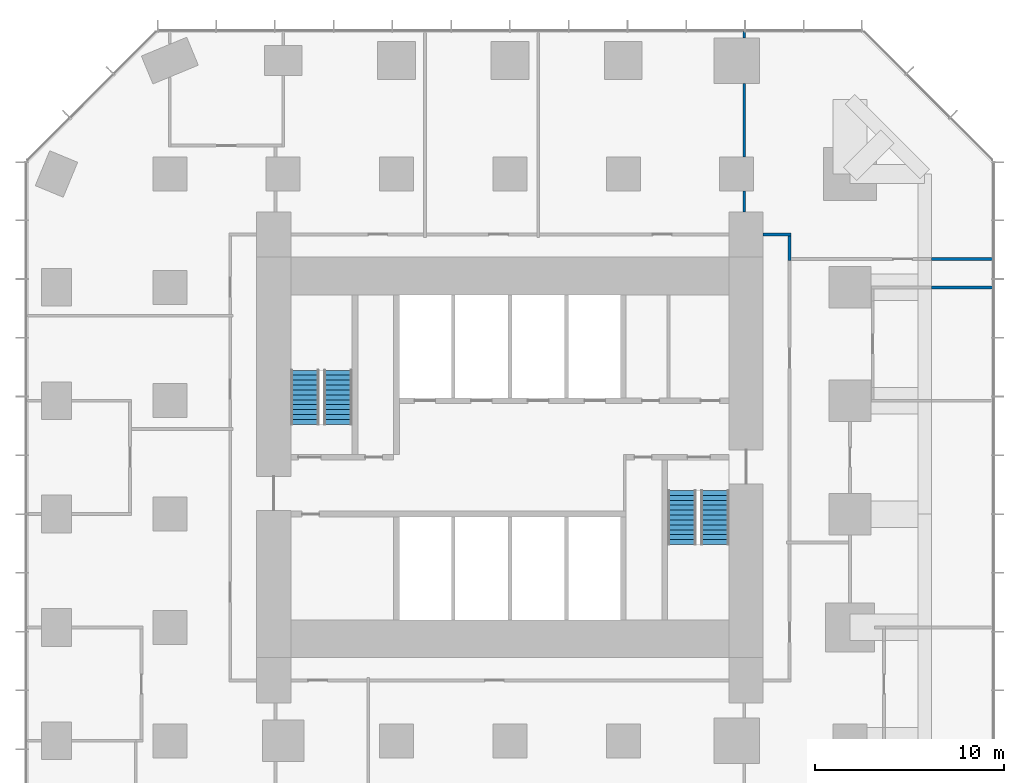
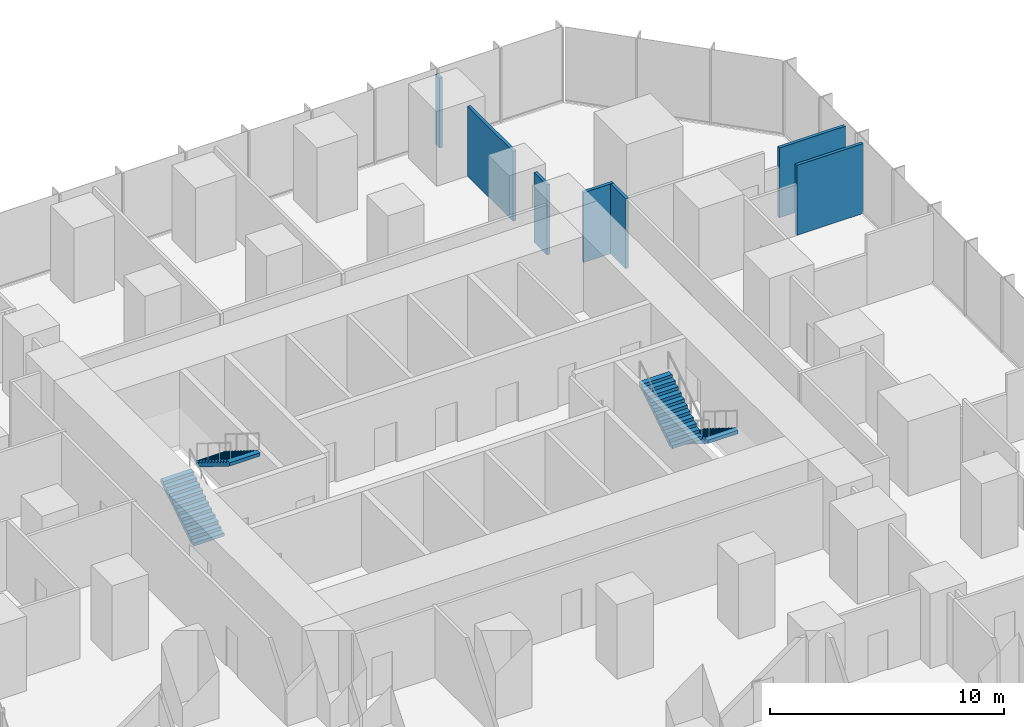
# One storey, part 11 of 12: 7 walls, 4 stair flights, 2 elements without a shape of their own.
"""IFC4 building model written with IfcOpenShell, lengths in metres."""

from ifc_helpers import new_model, si_unit, direction, frame, frame_2d, origin, place, context, subcontext, project, spatial, polyline, rectangle, outline, extrude, material, layer, layer_set, type_object, element, aggregate, save


model = new_model("IFC4")

# Units and contexts
model_context = context("Model", 3, precision=1e-05, world=origin(), true_north=direction((0.0, 1.0)))
body_context = subcontext(model_context, "Body", "Model", "MODEL_VIEW")
ifc_project = project(units=[si_unit("LENGTHUNIT", "METRE"), si_unit("AREAUNIT", "SQUARE_METRE"), si_unit("VOLUMEUNIT", "CUBIC_METRE"), si_unit("PLANEANGLEUNIT", "RADIAN"), si_unit("MASSUNIT", "GRAM", prefix="KILO")], contexts=[model_context])

# Site, building, storey
site_placement = place(None, origin())
site = spatial("IfcSite", under=ifc_project, at=site_placement, CompositionType="ELEMENT")
building_placement = place(site_placement, origin())
building = spatial("IfcBuilding", under=site, at=building_placement, Name="Highveld Stack Headquarters", CompositionType="ELEMENT")
storey_placement = place(building_placement, frame((0.0, 0.0, 49.39990234375)))
storey = spatial("IfcBuildingStorey", under=building, at=storey_placement, Name="L11", CompositionType="ELEMENT", Elevation=49.39990234375)

# Walls
ifc_material_1 = material(Name="Gypsum plasterboard on steel studs", Category="steel")
ifc_layer = layer(ifc_material_1, 0.14990234375)
ifc_layer_set = layer_set([ifc_layer], Name="Gypsum plasterboard on steel studs")
wall_type = type_object("IfcWallType", Name="PARTITION 150 PLASTERBOARD", PredefinedType="PARTITIONING", material=ifc_layer_set)
wall_1_placement = place(storey_placement, frame((28.31005859375, 12.0, 0.0), z_axis=(0.0, 0.0, 1.0), x_axis=(1.0, 0.0, 0.0)))
element("IfcWall", 1, at=wall_1_placement, inside=storey, type_object=wall_type, Name="Partition Tea kitchen L11", PredefinedType="PARTITIONING", context=body_context, shape_type="SweptSolid", body=[
    extrude(rectangle(XDim=3.2900390625, YDim=0.14990234375, at=frame_2d((1.64501953125, 0.0))), origin(), (0.0, 0.0, 1.0), 3.650146484375),
])
wall_2_placement = place(storey_placement, frame((18.39990234375, 16.0, 0.0), z_axis=(0.0, 0.0, 1.0), x_axis=(0.0, 1.0, 0.0)))
element("IfcWall", 2, at=wall_2_placement, inside=storey, type_object=wall_type, Name="Partition office neighbourhood L11", PredefinedType="PARTITIONING", context=body_context, shape_type="SweptSolid", body=[
    extrude(rectangle(XDim=1.10009765625, YDim=0.14990234375, at=frame_2d((0.550048828125, 0.0))), origin(), (0.0, 0.0, 1.0), 3.650146484375),
])
wall_3_placement = place(storey_placement, frame((18.39990234375, 18.89990234375, 0.0), z_axis=(0.0, 0.0, 1.0), x_axis=(0.0, 1.0, 0.0)))
element("IfcWall", 3, at=wall_3_placement, inside=storey, type_object=wall_type, Name="Partition office neighbourhood L11", PredefinedType="PARTITIONING", context=body_context, shape_type="SweptSolid", body=[
    extrude(rectangle(XDim=3.900146484375, YDim=0.14990234375, at=frame_2d((1.9501953125, 0.0))), origin(), (0.0, 0.0, 1.0), 3.650146484375),
])
wall_4_placement = place(storey_placement, frame((18.39990234375, 25.199951171875, 0.0), z_axis=(0.0, 0.0, 1.0), x_axis=(0.0, 1.0, 0.0)))
element("IfcWall", 4, at=wall_4_placement, inside=storey, type_object=wall_type, Name="Partition office neighbourhood L11", PredefinedType="PARTITIONING", context=body_context, shape_type="SweptSolid", body=[
    extrude(rectangle(XDim=0.35009765625, YDim=0.14990234375, at=frame_2d((0.175048828125, 0.0))), origin(), (0.0, 0.0, 1.0), 3.650146484375),
])
wall_5_placement = place(storey_placement, frame((19.39990234375, 14.800048828125, 0.0), z_axis=(0.0, 0.0, 1.0), x_axis=(1.0, 0.0, 0.0)))
element("IfcWall", 5, at=wall_5_placement, inside=storey, type_object=wall_type, Name="Partition office neighbourhood L11", PredefinedType="PARTITIONING", context=body_context, shape_type="SweptSolid", body=[
    extrude(rectangle(XDim=1.47509765625, YDim=0.14990234375, at=frame_2d((0.737548828125, 0.0))), origin(), (0.0, 0.0, 1.0), 3.650146484375),
])
wall_6_placement = place(storey_placement, frame((20.800048828125, 13.425048828125, 0.0), z_axis=(0.0, 0.0, 1.0), x_axis=(0.0, 1.0, 0.0)))
element("IfcWall", 6, at=wall_6_placement, inside=storey, type_object=wall_type, Name="Partition office neighbourhood L11", PredefinedType="PARTITIONING", context=body_context, shape_type="SweptSolid", body=[
    extrude(rectangle(XDim=1.300048828125, YDim=0.14990234375, at=frame_2d((0.64990234375, 0.0))), origin(), (0.0, 0.0, 1.0), 3.650146484375),
])
wall_7_placement = place(storey_placement, frame((28.31005859375, 13.5, 0.0), z_axis=(0.0, 0.0, 1.0), x_axis=(1.0, 0.0, 0.0)))
element("IfcWall", 7, at=wall_7_placement, inside=storey, type_object=wall_type, Name="Partition office neighbourhood L11", PredefinedType="PARTITIONING", context=body_context, shape_type="SweptSolid", body=[
    extrude(rectangle(XDim=3.2900390625, YDim=0.14990234375, at=frame_2d((1.64501953125, 0.0))), origin(), (0.0, 0.0, 1.0), 3.650146484375),
])

# Stair, stair flights
ifc_material_2 = material(Name="Concrete C40/50, precast", Category="concrete")
stair_type_1 = type_object("IfcStairType", Name="STAIR S1 HALF TURN 1500", PredefinedType="HALF_TURN_STAIR", material=ifc_material_2)
stair_1_placement = place(storey_placement, origin())
stair_1 = element("IfcStair", 8, at=stair_1_placement, inside=storey, type_object=stair_type_1, Name="Stair S1 L11", PredefinedType="HALF_TURN_STAIR")
ifc_material_3 = material(Name="Concrete C40/50, precast", Category="concrete")
stair_flight_type = type_object("IfcStairFlightType", Name="STAIR FLIGHT 1500 PRECAST", PredefinedType="STRAIGHT", material=ifc_material_3)
stair_flight_1_placement = place(storey_placement, frame((-4.85009765625, 4.75, 0.0), z_axis=(0.0, 0.0, 1.0), x_axis=(0.0, 1.0, 0.0)))
stair_flight_1 = element("IfcStairFlight", 9, at=stair_flight_1_placement, type_object=stair_flight_type, Name="S1 flight 1", NumberOfRisers=12, NumberOfTreads=11, PredefinedType="STRAIGHT", RiserHeight=0.1625, TreadLength=0.26, context=body_context, shape_type="SweptSolid", body=[
    extrude(outline(polyline([(0.0, 0.0), (0.0, 0.16259765625), (0.260009765625, 0.16259765625), (0.260009765625, 0.324951171875), (0.52001953125, 0.324951171875), (0.52001953125, 0.487548828125), (0.780029296875, 0.487548828125), (0.780029296875, 0.64990234375), (1.0400390625, 0.64990234375), (1.0400390625, 0.8125), (1.300048828125, 0.8125), (1.300048828125, 0.97509765625), (1.56005859375, 0.97509765625), (1.56005859375, 1.137451171875), (1.820068359375, 1.137451171875), (1.820068359375, 1.300048828125), (2.080078125, 1.300048828125), (2.080078125, 1.46240234375), (2.340087890625, 1.46240234375), (2.340087890625, 1.625), (2.60009765625, 1.625), (2.60009765625, 1.78759765625), (2.860107421875, 1.78759765625), (2.860107421875, 1.949951171875), (2.860107421875, 1.61083984375), (0.28271484375, 0.0), (0.0, 0.0)])), frame((0.0, 0.75, 0.0), z_axis=(0.0, -1.0, 0.0), x_axis=(1.0, 0.0, 0.0)), (0.0, 0.0, 1.0), 1.5),
])
stair_flight_2_placement = place(storey_placement, frame((-3.10009765625, 7.610107421875, 1.9501953125), z_axis=(0.0, 0.0, 1.0), x_axis=(0.0, -1.0, 0.0)))
stair_flight_2 = element("IfcStairFlight", 10, at=stair_flight_2_placement, type_object=stair_flight_type, Name="S1 flight 2", NumberOfRisers=12, NumberOfTreads=11, PredefinedType="STRAIGHT", RiserHeight=0.1625, TreadLength=0.26, context=body_context, shape_type="SweptSolid", body=[
    extrude(outline(polyline([(0.0, 0.0), (0.0, 0.16259765625), (0.260009765625, 0.16259765625), (0.260009765625, 0.324951171875), (0.52001953125, 0.324951171875), (0.52001953125, 0.487548828125), (0.780029296875, 0.487548828125), (0.780029296875, 0.64990234375), (1.0400390625, 0.64990234375), (1.0400390625, 0.8125), (1.300048828125, 0.8125), (1.300048828125, 0.97509765625), (1.56005859375, 0.97509765625), (1.56005859375, 1.137451171875), (1.820068359375, 1.137451171875), (1.820068359375, 1.300048828125), (2.080078125, 1.300048828125), (2.080078125, 1.46240234375), (2.340087890625, 1.46240234375), (2.340087890625, 1.625), (2.60009765625, 1.625), (2.60009765625, 1.78759765625), (2.860107421875, 1.78759765625), (2.860107421875, 1.949951171875), (2.860107421875, 1.61083984375), (0.28271484375, 0.0), (0.0, 0.0)])), frame((0.0, 0.75, 0.0), z_axis=(0.0, -1.0, 0.0), x_axis=(1.0, 0.0, 0.0)), (0.0, 0.0, 1.0), 1.5),
])
aggregate(stair_1, [stair_flight_1, stair_flight_2])

ifc_material_4 = material(Name="Concrete C40/50, precast", Category="concrete")
stair_type_2 = type_object("IfcStairType", Name="STAIR S2 HALF TURN 1500", PredefinedType="HALF_TURN_STAIR", material=ifc_material_4)
stair_2_placement = place(storey_placement, origin())
stair_2 = element("IfcStair", 11, at=stair_2_placement, inside=storey, type_object=stair_type_2, Name="Stair S2 L11", PredefinedType="HALF_TURN_STAIR")
stair_flight_3_placement = place(storey_placement, frame((16.85009765625, 1.25, 0.0), z_axis=(0.0, 0.0, 1.0), x_axis=(0.0, -1.0, 0.0)))
stair_flight_3 = element("IfcStairFlight", 12, at=stair_flight_3_placement, type_object=stair_flight_type, Name="S2 flight 1", NumberOfRisers=12, NumberOfTreads=11, PredefinedType="STRAIGHT", RiserHeight=0.1625, TreadLength=0.26, context=body_context, shape_type="SweptSolid", body=[
    extrude(outline(polyline([(0.0, 0.0), (0.0, 0.16259765625), (0.260009765625, 0.16259765625), (0.260009765625, 0.324951171875), (0.52001953125, 0.324951171875), (0.52001953125, 0.487548828125), (0.780029296875, 0.487548828125), (0.780029296875, 0.64990234375), (1.0400390625, 0.64990234375), (1.0400390625, 0.8125), (1.300048828125, 0.8125), (1.300048828125, 0.97509765625), (1.56005859375, 0.97509765625), (1.56005859375, 1.137451171875), (1.820068359375, 1.137451171875), (1.820068359375, 1.300048828125), (2.080078125, 1.300048828125), (2.080078125, 1.46240234375), (2.340087890625, 1.46240234375), (2.340087890625, 1.625), (2.60009765625, 1.625), (2.60009765625, 1.78759765625), (2.860107421875, 1.78759765625), (2.860107421875, 1.949951171875), (2.860107421875, 1.61083984375), (0.28271484375, 0.0), (0.0, 0.0)])), frame((0.0, 0.75, 0.0), z_axis=(0.0, -1.0, 0.0), x_axis=(1.0, 0.0, 0.0)), (0.0, 0.0, 1.0), 1.5),
])
stair_flight_4_placement = place(storey_placement, frame((15.10009765625, -1.610107421875, 1.9501953125), z_axis=(0.0, 0.0, 1.0), x_axis=(0.0, 1.0, 0.0)))
stair_flight_4 = element("IfcStairFlight", 13, at=stair_flight_4_placement, type_object=stair_flight_type, Name="S2 flight 2", NumberOfRisers=12, NumberOfTreads=11, PredefinedType="STRAIGHT", RiserHeight=0.1625, TreadLength=0.26, context=body_context, shape_type="SweptSolid", body=[
    extrude(outline(polyline([(0.0, 0.0), (0.0, 0.16259765625), (0.260009765625, 0.16259765625), (0.260009765625, 0.324951171875), (0.52001953125, 0.324951171875), (0.52001953125, 0.487548828125), (0.780029296875, 0.487548828125), (0.780029296875, 0.64990234375), (1.0400390625, 0.64990234375), (1.0400390625, 0.8125), (1.300048828125, 0.8125), (1.300048828125, 0.97509765625), (1.56005859375, 0.97509765625), (1.56005859375, 1.137451171875), (1.820068359375, 1.137451171875), (1.820068359375, 1.300048828125), (2.080078125, 1.300048828125), (2.080078125, 1.46240234375), (2.340087890625, 1.46240234375), (2.340087890625, 1.625), (2.60009765625, 1.625), (2.60009765625, 1.78759765625), (2.860107421875, 1.78759765625), (2.860107421875, 1.949951171875), (2.860107421875, 1.61083984375), (0.28271484375, 0.0), (0.0, 0.0)])), frame((0.0, 0.75, 0.0), z_axis=(0.0, -1.0, 0.0), x_axis=(1.0, 0.0, 0.0)), (0.0, 0.0, 1.0), 1.5),
])
aggregate(stair_2, [stair_flight_3, stair_flight_4])

save(model, "model.ifc")
